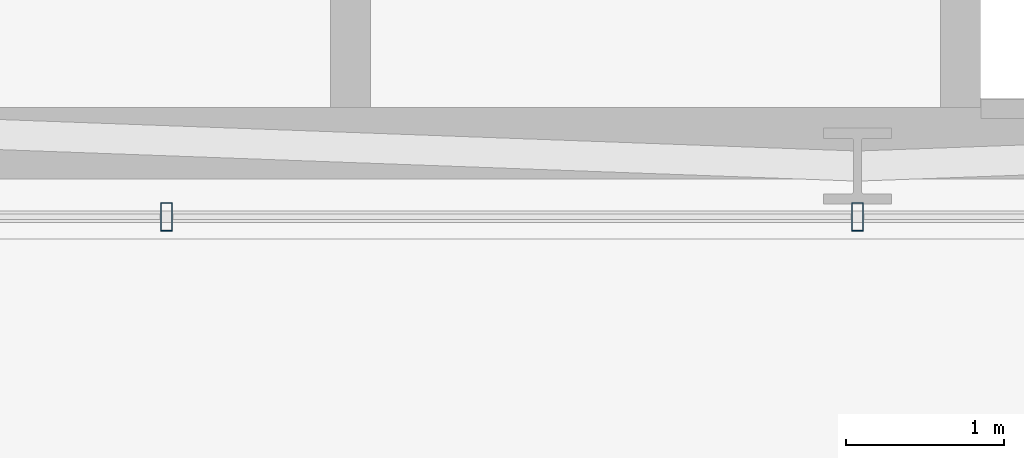
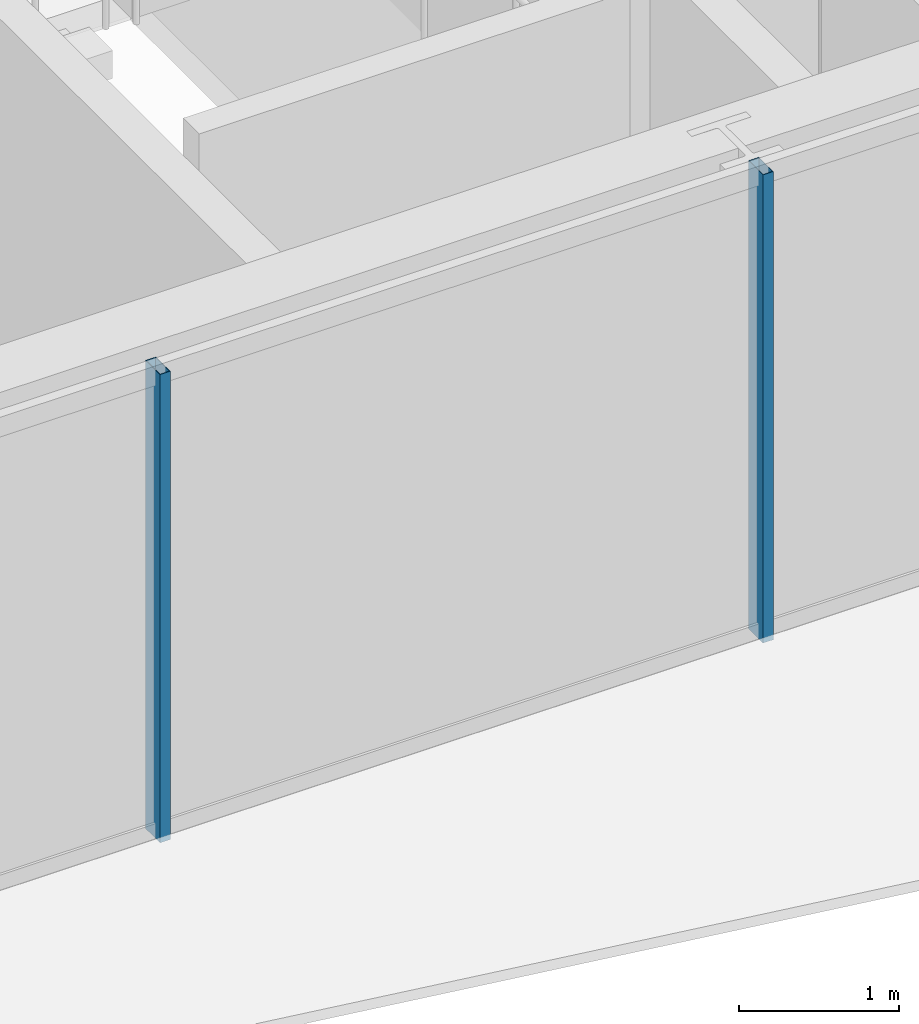
# One storey, part 7 of 36: 2 members, 1 element without a shape of its own.
"""IFC4 building model written with IfcOpenShell, lengths in metres."""

from ifc_helpers import new_model, si_unit, direction, frame, origin, origin_2d, place, context, subcontext, project, spatial, hollow_rectangle, extrude, material, layer, layer_set, material_profile, profile_set, type_object, element, aggregate, save


model = new_model("IFC4")

# Units and contexts
model_context = context("Model", 3, precision=1e-05, world=origin(), true_north=direction((0.0, 1.0)))
body_context = subcontext(model_context, "Body", "Model", "MODEL_VIEW")
ifc_project = project(units=[si_unit("LENGTHUNIT", "METRE"), si_unit("AREAUNIT", "SQUARE_METRE"), si_unit("VOLUMEUNIT", "CUBIC_METRE"), si_unit("PLANEANGLEUNIT", "RADIAN"), si_unit("MASSUNIT", "GRAM", prefix="KILO")], contexts=[model_context])

# Site, building, storey
site_placement = place(None, origin())
site = spatial("IfcSite", under=ifc_project, at=site_placement, CompositionType="ELEMENT")
building_placement = place(site_placement, origin())
building = spatial("IfcBuilding", under=site, at=building_placement, Name="Ndaravel Arena Tower", CompositionType="ELEMENT")
storey_placement = place(building_placement, frame((0.0, 0.0, 127.0)))
storey = spatial("IfcBuildingStorey", under=building, at=storey_placement, Name="L29", CompositionType="ELEMENT", Elevation=127.0)

# Curtain wall, members
ifc_material_1 = material(Name="Aluminium", Category="aluminium")
ifc_layer = layer(ifc_material_1, 0.179931640625)
ifc_layer_set = layer_set([ifc_layer], Name="Aluminium")
curtain_wall_type = type_object("IfcCurtainWallType", Name="CW-SYS-03", PredefinedType="NOTDEFINED", material=ifc_layer_set)
curtain_wall_placement = place(storey_placement, origin())
curtain_wall = element("IfcCurtainWall", 1, at=curtain_wall_placement, inside=storey, type_object=curtain_wall_type, Name="L29 Faceted Crystal Curtain Wall CW-L29-E01", PredefinedType="NOTDEFINED")
ifc_material_2 = material(Name="Aluminium", Category="aluminium")
ifc_material_profile = material_profile(ifc_material_2, hollow_rectangle(XDim=0.074951171875, YDim=0.179931640625, WallThickness=0.00390625, at=origin_2d()), Name="CW MULLION 75x180x4")
ifc_profile_set = profile_set([ifc_material_profile], Name="Aluminium")
member_type = type_object("IfcMemberType", Name="MEM-CW-MUL180", PredefinedType="MULLION", material=ifc_profile_set)
member_1_placement = place(storey_placement, frame((37.638916015625, 5.159912109375, 0.0), z_axis=(0.0, 0.0, 1.0), x_axis=(1.0, 0.0, 0.0)))
member_1 = element("IfcMember", 2, at=member_1_placement, type_object=member_type, Name="CW-L29-E01 Mullion 03", PredefinedType="MULLION", context=body_context, shape_type="SweptSolid", body=[
    extrude(hollow_rectangle(XDim=0.074951171875, YDim=0.179931640625, WallThickness=0.00390625, at=origin_2d()), origin(), (0.0, 0.0, 1.0), 3.580078125),
])
member_2_placement = place(storey_placement, frame((42.0, 5.159912109375, 0.0), z_axis=(0.0, 0.0, 1.0), x_axis=(1.0, 0.0, 0.0)))
member_2 = element("IfcMember", 3, at=member_2_placement, type_object=member_type, Name="CW-L29-E01 Mullion 04", PredefinedType="MULLION", context=body_context, shape_type="SweptSolid", body=[
    extrude(hollow_rectangle(XDim=0.074951171875, YDim=0.179931640625, WallThickness=0.00390625, at=origin_2d()), origin(), (0.0, 0.0, 1.0), 3.580078125),
])
aggregate(curtain_wall, [member_1, member_2])

save(model, "model.ifc")
